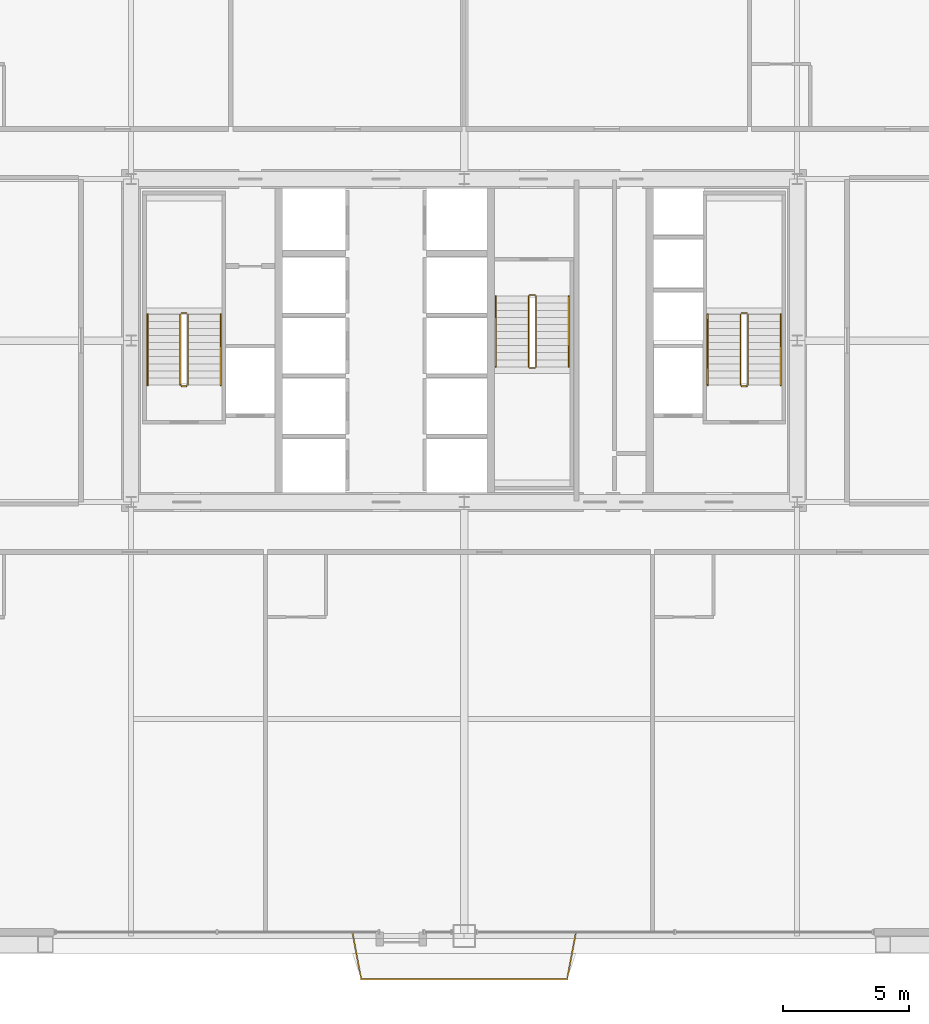
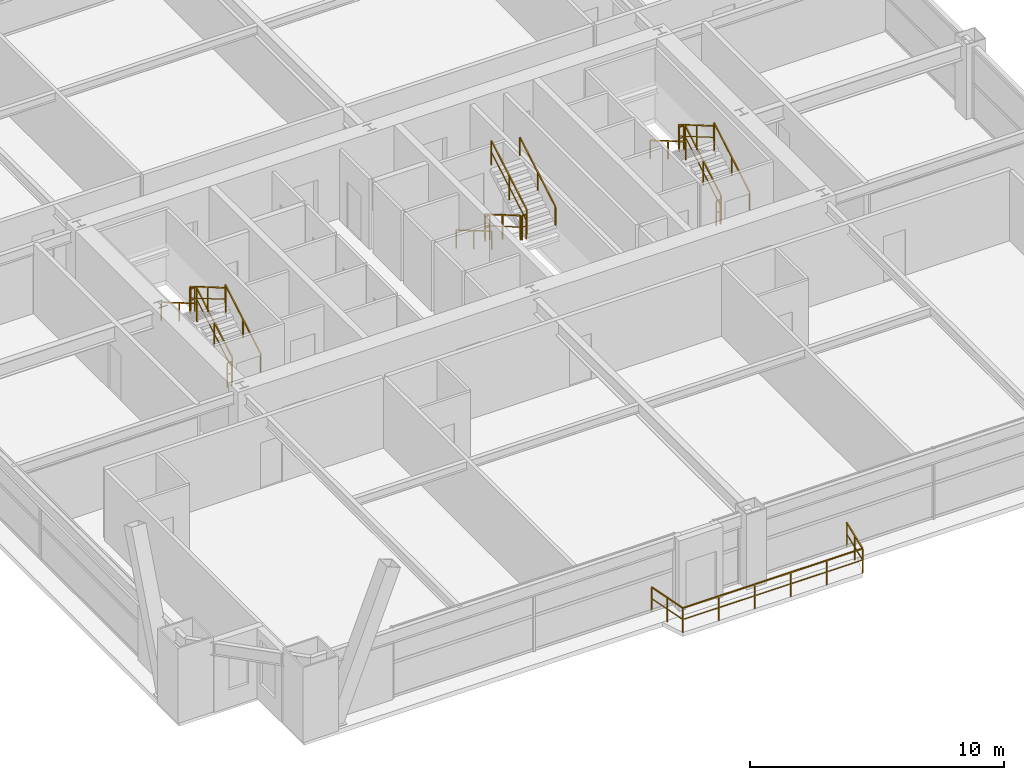
# One storey, part 43 of 43: 19 railings.
"""IFC4 building model written with IfcOpenShell, lengths in metres."""

from ifc_helpers import new_model, si_unit, direction, frame, origin, origin_2d, place, context, subcontext, project, spatial, rectangle, extrude, source, transform, mapped, material, layer, layer_set, type_object, element, save


model = new_model("IFC4")

# Units and contexts
model_context = context("Model", 3, precision=1e-05, world=origin(), true_north=direction((0.0, 1.0)))
body_context = subcontext(model_context, "Body", "Model", "MODEL_VIEW")
ifc_project = project(units=[si_unit("LENGTHUNIT", "METRE"), si_unit("AREAUNIT", "SQUARE_METRE"), si_unit("VOLUMEUNIT", "CUBIC_METRE"), si_unit("PLANEANGLEUNIT", "RADIAN"), si_unit("MASSUNIT", "GRAM", prefix="KILO"), si_unit("THERMODYNAMICTEMPERATUREUNIT", "KELVIN"), si_unit("POWERUNIT", "WATT")], contexts=[model_context])

# Site, building, storey
site_placement = place(None, origin())
site = spatial("IfcSite", under=ifc_project, at=site_placement, CompositionType="ELEMENT")
building_placement = place(site_placement, origin())
building = spatial("IfcBuilding", under=site, at=building_placement, Name="Yuzanri Waterfront Tower", CompositionType="ELEMENT")
storey_placement = place(building_placement, frame((0.0, 0.0, 108.199951171875)))
storey = spatial("IfcBuildingStorey", under=building, at=storey_placement, Name="L28", CompositionType="ELEMENT", Elevation=108.199951171875)

# Railings
ifc_material_1 = material(Name="Anodized Architectural Bronze", Category="metal")
ifc_layer_1 = layer(ifc_material_1, 0.080078125)
ifc_layer_set_1 = layer_set([ifc_layer_1], Name="Anodized Architectural Bronze")
railing_type_1 = type_object("IfcRailingType", Name="Laminated Glass and Bronze Balcony Guardrail 1200", PredefinedType="BALUSTRADE", material=ifc_layer_set_1)
shared_shape_1 = source(origin(), body_context, "Body", "SweptSolid", [
    extrude(rectangle(XDim=0.050048828125, YDim=0.050048828125, at=origin_2d()), frame((0.0, 0.0, 1.1748046875), z_axis=(0.183978459351, -0.9829302755, 0.0), x_axis=(0.9829302755, 0.183978459351, 0.0)), (0.0, 0.0, 1.0), 1.901611328125),
    extrude(rectangle(XDim=0.035888671875, YDim=0.030029296875, at=origin_2d()), frame((0.0, 0.0, 0.6240234375), z_axis=(0.183978459351, -0.9829302755, 0.0), x_axis=(0.9829302755, 0.183978459351, 0.0)), (0.0, 0.0, 1.0), 1.901611328125),
    extrude(rectangle(XDim=0.050048828125, YDim=0.050048828125, at=origin_2d()), frame((0.349853515625, -1.869140625, 1.1748046875), z_axis=(1.0, 0.0, 0.0), x_axis=(0.0, 1.0, 0.0)), (0.0, 0.0, 1.0), 8.1611328125),
    extrude(rectangle(XDim=0.035888671875, YDim=0.030029296875, at=origin_2d()), frame((0.349853515625, -1.869140625, 0.6240234375), z_axis=(1.0, 0.0, 0.0), x_axis=(0.0, 1.0, 0.0)), (0.0, 0.0, 1.0), 8.1611328125),
    extrude(rectangle(XDim=0.050048828125, YDim=0.050048828125, at=origin_2d()), frame((8.510986328125, -1.869140625, 1.1748046875), z_axis=(0.183978459351, 0.9829302755, 0.0), x_axis=(-0.9829302755, 0.183978459351, 0.0)), (0.0, 0.0, 1.0), 1.901611328125),
    extrude(rectangle(XDim=0.035888671875, YDim=0.030029296875, at=origin_2d()), frame((8.510986328125, -1.869140625, 0.6240234375), z_axis=(0.183978459351, 0.9829302755, 0.0), x_axis=(-0.9829302755, 0.183978459351, 0.0)), (0.0, 0.0, 1.0), 1.901611328125),
    extrude(rectangle(XDim=0.0458984375, YDim=0.0458984375, at=origin_2d()), origin(), (0.0, 0.0, 1.0), 1.14990234375),
    extrude(rectangle(XDim=0.0458984375, YDim=0.0458984375, at=origin_2d()), frame((0.1748046875, -0.9345703125, 0.0)), (0.0, 0.0, 1.0), 1.14990234375),
    extrude(rectangle(XDim=0.0458984375, YDim=0.0458984375, at=origin_2d()), frame((0.349853515625, -1.869140625, 0.0)), (0.0, 0.0, 1.0), 1.14990234375),
    extrude(rectangle(XDim=0.0458984375, YDim=0.0458984375, at=origin_2d()), frame((1.982177734375, -1.869140625, 0.0)), (0.0, 0.0, 1.0), 1.14990234375),
    extrude(rectangle(XDim=0.0458984375, YDim=0.0458984375, at=origin_2d()), frame((3.6142578125, -1.869140625, 0.0)), (0.0, 0.0, 1.0), 1.14990234375),
    extrude(rectangle(XDim=0.0458984375, YDim=0.0458984375, at=origin_2d()), frame((5.24658203125, -1.869140625, 0.0)), (0.0, 0.0, 1.0), 1.14990234375),
    extrude(rectangle(XDim=0.0458984375, YDim=0.0458984375, at=origin_2d()), frame((6.878662109375, -1.869140625, 0.0)), (0.0, 0.0, 1.0), 1.14990234375),
    extrude(rectangle(XDim=0.0458984375, YDim=0.0458984375, at=origin_2d()), frame((8.510986328125, -1.869140625, 0.0)), (0.0, 0.0, 1.0), 1.14990234375),
    extrude(rectangle(XDim=0.0458984375, YDim=0.0458984375, at=origin_2d()), frame((8.68603515625, -0.9345703125, 0.0)), (0.0, 0.0, 1.0), 1.14990234375),
    extrude(rectangle(XDim=0.0458984375, YDim=0.0458984375, at=origin_2d()), frame((8.86083984375, 0.0, 0.0)), (0.0, 0.0, 1.0), 1.14990234375),
])
railing_placement = place(storey_placement, frame((32.569580078125, 2.35009765625, 0.0)))
element("IfcRailing", 1, at=railing_placement, inside=storey, type_object=railing_type_1, Name="L28 S Engawa Terrace Guardrail", PredefinedType="BALUSTRADE", context=body_context, shape_type="MappedRepresentation", body=[
    mapped(shared_shape_1, transform((0.0, 0.0, 0.0), scale=1.0)),
])
ifc_material_2 = material(Name="Painted Galvanized Fire Steel", Category="steel")
ifc_layer_2 = layer(ifc_material_2, 0.06005859375)
ifc_layer_set_2 = layer_set([ifc_layer_2], Name="Painted Galvanized Fire Steel")
railing_type_2 = type_object("IfcRailingType", Name="Painted Steel Stairwell Guardrail 1120", PredefinedType="GUARDRAIL", material=ifc_layer_set_2)
shared_shape_2 = source(origin(), body_context, "Body", "SweptSolid", [
    extrude(rectangle(XDim=0.050048828125, YDim=0.050048828125, at=origin_2d()), frame((0.0, 0.0, 1.1748046875), z_axis=(-1.0, 0.0, 0.0), x_axis=(0.0, -1.0, 0.0)), (0.0, 0.0, 1.0), 0.199951171875),
    extrude(rectangle(XDim=0.035888671875, YDim=0.030029296875, at=origin_2d()), frame((0.0, 0.0, 0.6240234375), z_axis=(-1.0, 0.0, 0.0), x_axis=(0.0, -1.0, 0.0)), (0.0, 0.0, 1.0), 0.199951171875),
    extrude(rectangle(XDim=0.0458984375, YDim=0.0458984375, at=origin_2d()), origin(), (0.0, 0.0, 1.0), 1.14990234375),
    extrude(rectangle(XDim=0.0458984375, YDim=0.0458984375, at=origin_2d()), frame((-0.199951171875, 0.0, 0.0)), (0.0, 0.0, 1.0), 1.14990234375),
])
for number, where, name in (
    (2, (26.0, 26.889892578125, 1.800048828125), "L28 ST-01 stair guard 2"),
    (3, (26.0, 23.989990234375, 0.0), "L28 ST-01 stair guard 4"),
    (4, (48.199951171875, 26.889892578125, 1.800048828125), "L28 ST-02 stair guard 2"),
    (5, (48.199951171875, 23.989990234375, 0.0), "L28 ST-02 stair guard 4"),
):
    element("IfcRailing", number, at=place(storey_placement, frame(where)), inside=storey, type_object=railing_type_2, Name=name, PredefinedType="GUARDRAIL", context=body_context, shape_type="MappedRepresentation", body=[
        mapped(shared_shape_2, transform((0.0, 0.0, 0.0), scale=1.0)),
    ])
shared_shape_3 = source(origin(), body_context, "Body", "SweptSolid", [
    extrude(rectangle(XDim=0.050048828125, YDim=0.050048828125, at=origin_2d()), frame((0.0, 0.0, 1.1748046875), z_axis=(0.0, 0.863360870873, 0.504586966384), x_axis=(-1.0, 0.0, 0.0)), (0.0, 0.0, 1.0), 3.2431640625),
    extrude(rectangle(XDim=0.035888671875, YDim=0.030029296875, at=origin_2d()), frame((0.0, 0.0, 0.6240234375), z_axis=(0.0, 0.863360870873, 0.504586966384), x_axis=(-1.0, 0.0, 0.0)), (0.0, 0.0, 1.0), 3.2431640625),
    extrude(rectangle(XDim=0.0458984375, YDim=0.0458984375, at=origin_2d()), origin(), (0.0, 0.0, 1.0), 1.14990234375),
    extrude(rectangle(XDim=0.0458984375, YDim=0.0458984375, at=origin_2d()), frame((0.0, 1.39990234375, 0.818359375)), (0.0, 0.0, 1.0), 1.14990234375),
    extrude(rectangle(XDim=0.0458984375, YDim=0.0458984375, at=origin_2d()), frame((0.0, 2.800048828125, 1.636474609375)), (0.0, 0.0, 1.0), 1.14990234375),
])
for number, where, name in (
    (6, (26.050048828125, 24.0400390625, 0.16357421875), "L28 ST-01 stair guard 1"),
    (7, (48.25, 24.0400390625, 0.16357421875), "L28 ST-02 stair guard 1"),
    (8, (39.85009765625, 24.760009765625, 1.963623046875), "L28 ST-03 stair guard 3"),
):
    element("IfcRailing", number, at=place(storey_placement, frame(where)), inside=storey, type_object=railing_type_2, Name=name, PredefinedType="GUARDRAIL", context=body_context, shape_type="MappedRepresentation", body=[
        mapped(shared_shape_3, transform((0.0, 0.0, 0.0), scale=1.0)),
    ])
shared_shape_4 = source(origin(), body_context, "Body", "SweptSolid", [
    extrude(rectangle(XDim=0.050048828125, YDim=0.050048828125, at=origin_2d()), frame((0.0, 0.0, 1.1748046875), z_axis=(0.0, -0.863360870873, 0.504586966384), x_axis=(1.0, 0.0, 0.0)), (0.0, 0.0, 1.0), 3.2431640625),
    extrude(rectangle(XDim=0.035888671875, YDim=0.030029296875, at=origin_2d()), frame((0.0, 0.0, 0.6240234375), z_axis=(0.0, -0.863360870873, 0.504586966384), x_axis=(1.0, 0.0, 0.0)), (0.0, 0.0, 1.0), 3.2431640625),
    extrude(rectangle(XDim=0.0458984375, YDim=0.0458984375, at=origin_2d()), origin(), (0.0, 0.0, 1.0), 1.14990234375),
    extrude(rectangle(XDim=0.0458984375, YDim=0.0458984375, at=origin_2d()), frame((0.0, -1.39990234375, 0.818359375)), (0.0, 0.0, 1.0), 1.14990234375),
    extrude(rectangle(XDim=0.0458984375, YDim=0.0458984375, at=origin_2d()), frame((0.0, -2.800048828125, 1.636474609375)), (0.0, 0.0, 1.0), 1.14990234375),
])
for number, where, name in (
    (9, (25.75, 26.840087890625, 1.963623046875), "L28 ST-01 stair guard 3"),
    (10, (47.949951171875, 26.840087890625, 1.963623046875), "L28 ST-02 stair guard 3"),
    (11, (39.550048828125, 27.56005859375, 0.16357421875), "L28 ST-03 stair guard 1"),
):
    element("IfcRailing", number, at=place(storey_placement, frame(where)), inside=storey, type_object=railing_type_2, Name=name, PredefinedType="GUARDRAIL", context=body_context, shape_type="MappedRepresentation", body=[
        mapped(shared_shape_4, transform((0.0, 0.0, 0.0), scale=1.0)),
    ])
ifc_material_3 = material(Name="Anodized Architectural Bronze", Category="metal")
ifc_layer_3 = layer(ifc_material_3, 0.050048828125)
ifc_layer_set_3 = layer_set([ifc_layer_3], Name="Anodized Architectural Bronze")
railing_type_3 = type_object("IfcRailingType", Name="Brushed Bronze Stair Pitch Handrail 920", PredefinedType="HANDRAIL", material=ifc_layer_set_3)
shared_shape_5 = source(origin(), body_context, "Body", "SweptSolid", [
    extrude(rectangle(XDim=0.050048828125, YDim=0.050048828125, at=origin_2d()), frame((0.0, 0.0, 0.875), z_axis=(0.0, 0.863360870873, 0.504586966384), x_axis=(-1.0, 0.0, 0.0)), (0.0, 0.0, 1.0), 3.2431640625),
    extrude(rectangle(XDim=0.0458984375, YDim=0.0458984375, at=origin_2d()), origin(), (0.0, 0.0, 1.0), 0.849853515625),
    extrude(rectangle(XDim=0.0458984375, YDim=0.0458984375, at=origin_2d()), frame((0.0, 1.39990234375, 0.818359375)), (0.0, 0.0, 1.0), 0.849853515625),
    extrude(rectangle(XDim=0.0458984375, YDim=0.0458984375, at=origin_2d()), frame((0.0, 2.800048828125, 1.636474609375)), (0.0, 0.0, 1.0), 0.849853515625),
])
for number, where, name in (
    (12, (27.35009765625, 24.0400390625, 0.16357421875), "L28 ST-01 stair handrail 1"),
    (13, (49.550048828125, 24.0400390625, 0.16357421875), "L28 ST-02 stair handrail 1"),
    (14, (41.14990234375, 24.760009765625, 1.963623046875), "L28 ST-03 stair handrail 2"),
):
    element("IfcRailing", number, at=place(storey_placement, frame(where)), inside=storey, type_object=railing_type_3, Name=name, PredefinedType="HANDRAIL", context=body_context, shape_type="MappedRepresentation", body=[
        mapped(shared_shape_5, transform((0.0, 0.0, 0.0), scale=1.0)),
    ])
shared_shape_6 = source(origin(), body_context, "Body", "SweptSolid", [
    extrude(rectangle(XDim=0.050048828125, YDim=0.050048828125, at=origin_2d()), frame((0.0, 0.0, 0.875), z_axis=(0.0, -0.863360870873, 0.504586966384), x_axis=(1.0, 0.0, 0.0)), (0.0, 0.0, 1.0), 3.2431640625),
    extrude(rectangle(XDim=0.0458984375, YDim=0.0458984375, at=origin_2d()), origin(), (0.0, 0.0, 1.0), 0.849853515625),
    extrude(rectangle(XDim=0.0458984375, YDim=0.0458984375, at=origin_2d()), frame((0.0, -1.39990234375, 0.818359375)), (0.0, 0.0, 1.0), 0.849853515625),
    extrude(rectangle(XDim=0.0458984375, YDim=0.0458984375, at=origin_2d()), frame((0.0, -2.800048828125, 1.636474609375)), (0.0, 0.0, 1.0), 0.849853515625),
])
for number, where, name in (
    (15, (24.449951171875, 26.840087890625, 1.963623046875), "L28 ST-01 stair handrail 2"),
    (16, (46.64990234375, 26.840087890625, 1.963623046875), "L28 ST-02 stair handrail 2"),
    (17, (38.25, 27.56005859375, 0.16357421875), "L28 ST-03 stair handrail 1"),
):
    element("IfcRailing", number, at=place(storey_placement, frame(where)), inside=storey, type_object=railing_type_3, Name=name, PredefinedType="HANDRAIL", context=body_context, shape_type="MappedRepresentation", body=[
        mapped(shared_shape_6, transform((0.0, 0.0, 0.0), scale=1.0)),
    ])
shared_shape_7 = source(origin(), body_context, "Body", "SweptSolid", [
    extrude(rectangle(XDim=0.050048828125, YDim=0.050048828125, at=origin_2d()), frame((0.0, 0.0, 1.1748046875), z_axis=(1.0, 0.0, 0.0), x_axis=(0.0, 1.0, 0.0)), (0.0, 0.0, 1.0), 0.199951171875),
    extrude(rectangle(XDim=0.035888671875, YDim=0.030029296875, at=origin_2d()), frame((0.0, 0.0, 0.6240234375), z_axis=(1.0, 0.0, 0.0), x_axis=(0.0, 1.0, 0.0)), (0.0, 0.0, 1.0), 0.199951171875),
    extrude(rectangle(XDim=0.0458984375, YDim=0.0458984375, at=origin_2d()), origin(), (0.0, 0.0, 1.0), 1.14990234375),
    extrude(rectangle(XDim=0.0458984375, YDim=0.0458984375, at=origin_2d()), frame((0.199951171875, 0.0, 0.0)), (0.0, 0.0, 1.0), 1.14990234375),
])
for number, where, name in (
    (18, (39.60009765625, 24.7099609375, 1.800048828125), "L28 ST-03 stair guard 2"),
    (19, (39.60009765625, 27.610107421875, 0.0), "L28 ST-03 stair guard 4"),
):
    element("IfcRailing", number, at=place(storey_placement, frame(where)), inside=storey, type_object=railing_type_2, Name=name, PredefinedType="GUARDRAIL", context=body_context, shape_type="MappedRepresentation", body=[
        mapped(shared_shape_7, transform((0.0, 0.0, 0.0), scale=1.0)),
    ])

save(model, "model.ifc")
